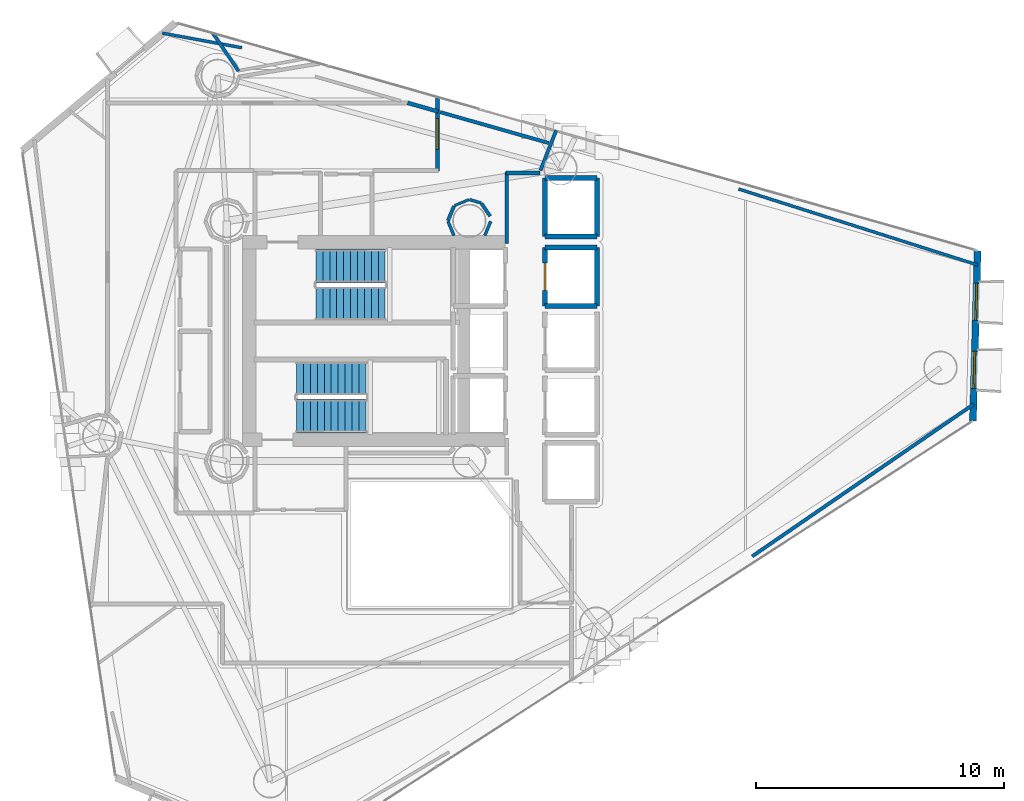
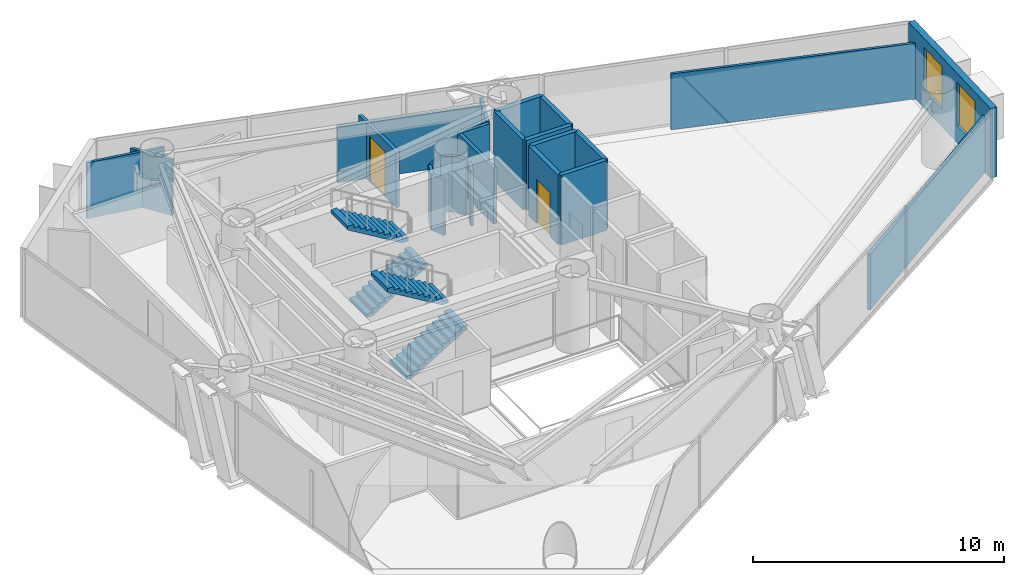
# One storey, part 20 of 22: 25 walls, 4 stair flights, 2 doors, 2 windows, 4 openings, 2 elements without a shape of their own.
"""IFC4 building model written with IfcOpenShell, lengths in metres."""

from ifc_helpers import new_model, si_unit, direction, frame, frame_2d, origin, place, context, subcontext, project, spatial, polyline, rectangle, outline, extrude, material, layer, layer_set, type_object, element, fill, aggregate, save


model = new_model("IFC4")

# Units and contexts
model_context = context("Model", 3, precision=1e-05, world=origin(), true_north=direction((0.0, 1.0)))
body_context = subcontext(model_context, "Body", "Model", "MODEL_VIEW")
ifc_project = project(units=[si_unit("LENGTHUNIT", "METRE"), si_unit("AREAUNIT", "SQUARE_METRE"), si_unit("VOLUMEUNIT", "CUBIC_METRE"), si_unit("PLANEANGLEUNIT", "RADIAN"), si_unit("MASSUNIT", "GRAM", prefix="KILO")], contexts=[model_context])

# Site, building, storey
site_placement = place(None, origin())
site = spatial("IfcSite", under=ifc_project, at=site_placement, CompositionType="ELEMENT")
building_placement = place(site_placement, origin())
building = spatial("IfcBuilding", under=site, at=building_placement, Name="Qianvela Tower", CompositionType="ELEMENT")
storey_placement = place(building_placement, frame((0.0, 0.0, 180.89990234375)))
storey = spatial("IfcBuildingStorey", under=building, at=storey_placement, Name="L46", CompositionType="ELEMENT", Elevation=180.89990234375)

# Wall, openings, windows
ifc_material_1 = material(Name="Terracotta Cladding on Concrete C40", Category="masonry")
ifc_layer_1 = layer(ifc_material_1, 0.280029296875)
ifc_layer_set_1 = layer_set([ifc_layer_1], Name="Terracotta Cladding on Concrete C40")
wall_type_1 = type_object("IfcWallType", Name="TERRACOTTA-WALL-280", PredefinedType="SOLIDWALL", material=ifc_layer_set_1)
wall_1_placement = place(storey_placement, frame((58.74951171875, 25.47119140625, 0.0), z_axis=(0.0, 0.0, 1.0), x_axis=(0.026948121349, 0.999636833433, 0.0)))
wall_1 = element("IfcWall", 1, at=wall_1_placement, inside=storey, type_object=wall_type_1, Name="L46 Terracotta Chamfer Facet Wall 1", PredefinedType="SOLIDWALL", context=body_context, shape_type="SweptSolid", body=[
    extrude(rectangle(XDim=6.876220703125, YDim=0.280029296875, at=frame_2d((3.43798828125, 0.0))), origin(), (0.0, 0.0, 1.0), 3.400146484375),
])
opening_1_placement = place(wall_1_placement, frame((1.31298828125, 0.0, 0.85009765625)))
opening_1 = element("IfcOpeningElement", 2, at=opening_1_placement, cuts=wall_1, Name="Opening W-02", PredefinedType="OPENING", context=body_context, shape_type="SweptSolid", body=[
    extrude(rectangle(XDim=1.5, YDim=2.10009765625, at=frame_2d((0.75, 1.050048828125))), frame((0.0, 0.14990234375, 0.0), z_axis=(0.0, -1.0, 0.0), x_axis=(1.0, 0.0, 0.0)), (0.0, 0.0, 1.0), 0.300048828125),
])
opening_2_placement = place(wall_1_placement, frame((4.063232421875, 0.0, 0.85009765625)))
opening_2 = element("IfcOpeningElement", 3, at=opening_2_placement, cuts=wall_1, Name="Opening W-02", PredefinedType="OPENING", context=body_context, shape_type="SweptSolid", body=[
    extrude(rectangle(XDim=1.5, YDim=2.10009765625, at=frame_2d((0.75, 1.050048828125))), frame((0.0, 0.14990234375, 0.0), z_axis=(0.0, -1.0, 0.0), x_axis=(1.0, 0.0, 0.0)), (0.0, 0.0, 1.0), 0.300048828125),
])
ifc_material_2 = material(Name="Thermally Broken Aluminium and Low-E Glass", Category="aluminium")
window_type = type_object("IfcWindowType", Name="WIN-TC-1500x2100", PartitioningType="DOUBLE_PANEL_VERTICAL", PredefinedType="WINDOW", material=ifc_material_2)
window_1_placement = place(opening_1_placement, origin())
window_1 = element("IfcWindow", 4, at=window_1_placement, inside=storey, type_object=window_type, Name="L46 Chamfer Facet Window 1.1", OverallHeight=2.10009765625, OverallWidth=1.5, PartitioningType="SINGLE_PANEL", PredefinedType="WINDOW", context=body_context, shape_type="SweptSolid", body=[
    extrude(rectangle(XDim=1.5, YDim=2.10009765625, at=frame_2d((0.75, 1.050048828125))), frame((0.0, 0.030029296875, 0.0), z_axis=(0.0, -1.0, 0.0), x_axis=(1.0, 0.0, 0.0)), (0.0, 0.0, 1.0), 0.06005859375),
])
fill(opening_1, window_1)
window_2_placement = place(opening_2_placement, origin())
window_2 = element("IfcWindow", 5, at=window_2_placement, inside=storey, type_object=window_type, Name="L46 Chamfer Facet Window 1.2", OverallHeight=2.10009765625, OverallWidth=1.5, PartitioningType="SINGLE_PANEL", PredefinedType="WINDOW", context=body_context, shape_type="SweptSolid", body=[
    extrude(rectangle(XDim=1.5, YDim=2.10009765625, at=frame_2d((0.75, 1.050048828125))), frame((0.0, 0.030029296875, 0.0), z_axis=(0.0, -1.0, 0.0), x_axis=(1.0, 0.0, 0.0)), (0.0, 0.0, 1.0), 0.06005859375),
])
fill(opening_2, window_2)

# Walls
ifc_material_3 = material(Name="Fire-Rated Gypsum and Concrete Block", Category="concrete")
ifc_layer_2 = layer(ifc_material_3, 0.159912109375)
ifc_layer_set_2 = layer_set([ifc_layer_2], Name="Fire-Rated Gypsum and Concrete Block")
wall_type_2 = type_object("IfcWallType", Name="WT-CORR-160", PredefinedType="PARTITIONING", material=ifc_layer_set_2)
wall_2_placement = place(storey_placement, frame((39.910888671875, 32.639892578125, 0.0), z_axis=(0.0, 0.0, 1.0), x_axis=(0.0, 1.0, 0.0)))
element("IfcWall", 6, at=wall_2_placement, inside=storey, type_object=wall_type_2, Name="L46 Partition 12", PredefinedType="PARTITIONING", context=body_context, shape_type="SweptSolid", body=[
    extrude(rectangle(XDim=2.880126953125, YDim=0.159912109375, at=frame_2d((1.43994140625, 0.0))), origin(), (0.0, 0.0, 1.0), 2.72021484375),
])
wall_3_placement = place(storey_placement, frame((39.8798828125, 35.489013671875, 0.0), z_axis=(0.0, 0.0, 1.0), x_axis=(1.0, 0.0, 0.0)))
element("IfcWall", 7, at=wall_3_placement, inside=storey, type_object=wall_type_2, Name="L46 Partition 13", PredefinedType="PARTITIONING", context=body_context, shape_type="SweptSolid", body=[
    extrude(rectangle(XDim=1.3828125, YDim=0.159912109375, at=frame_2d((0.69140625, 0.0))), origin(), (0.0, 0.0, 1.0), 2.72021484375),
])
wall_4_placement = place(storey_placement, frame((35.90673828125, 38.3203125, 0.0), z_axis=(0.0, 0.0, 1.0), x_axis=(0.96183190349, -0.273640986382, 0.0)))
element("IfcWall", 8, at=wall_4_placement, inside=storey, type_object=wall_type_2, Name="L46 Partition 51", PredefinedType="PARTITIONING", context=body_context, shape_type="SweptSolid", body=[
    extrude(rectangle(XDim=1.283935546875, YDim=0.159912109375, at=frame_2d((0.64208984375, 0.0))), origin(), (0.0, 0.0, 1.0), 2.72021484375),
])

# Wall, opening, door
wall_5_placement = place(storey_placement, frame((37.118896484375, 38.568359375, 0.0), z_axis=(0.0, 0.0, 1.0), x_axis=(0.0, -1.0, 0.0)))
wall_5 = element("IfcWall", 9, at=wall_5_placement, inside=storey, type_object=wall_type_2, Name="L46 Partition 52", PredefinedType="PARTITIONING", context=body_context, shape_type="SweptSolid", body=[
    extrude(rectangle(XDim=3.00830078125, YDim=0.159912109375, at=frame_2d((1.504150390625, 0.0))), origin(), (0.0, 0.0, 1.0), 2.72021484375),
])
opening_3_placement = place(wall_5_placement, frame((0.879150390625, 0.0, 0.0)))
opening_3 = element("IfcOpeningElement", 10, at=opening_3_placement, cuts=wall_5, Name="Opening D-LG1", PredefinedType="OPENING", context=body_context, shape_type="SweptSolid", body=[
    extrude(rectangle(XDim=1.25, YDim=2.199951171875, at=frame_2d((0.625, 1.10009765625))), frame((0.0, 0.08984375, 0.0), z_axis=(0.0, -1.0, 0.0), x_axis=(1.0, 0.0, 0.0)), (0.0, 0.0, 1.0), 0.179931640625),
])
ifc_material_4 = material(Name="Anodised Aluminium Acoustic Glass Door", Category="aluminium")
door_type_1 = type_object("IfcDoorType", Name="DT-LOUNGE-1250", OperationType="NOTDEFINED", PredefinedType="DOOR", material=ifc_material_4)
door_1_placement = place(opening_3_placement, origin())
door_1 = element("IfcDoor", 11, at=door_1_placement, inside=storey, type_object=door_type_1, Name="L46 Door Panoramic Study Lounge L46-03 to L46 Floor Corridor", OperationType="SINGLE_SWING_RIGHT", OverallHeight=2.199951171875, OverallWidth=1.25, PredefinedType="DOOR", context=body_context, shape_type="SweptSolid", body=[
    extrude(rectangle(XDim=1.25, YDim=2.199951171875, at=frame_2d((0.625, 1.10009765625))), frame((0.0, 0.02490234375, 0.0), z_axis=(0.0, -1.0, 0.0), x_axis=(1.0, 0.0, 0.0)), (0.0, 0.0, 1.0), 0.050048828125),
])
fill(opening_3, door_1)

# Walls
ifc_material_5 = material(Name="Lightweight Gypsum Room Partition")
ifc_layer_3 = layer(ifc_material_5, 0.10498046875)
ifc_layer_set_3 = layer_set([ifc_layer_3], Name="Lightweight Gypsum Room Partition")
wall_type_3 = type_object("IfcWallType", Name="WT-PART-105", PredefinedType="PARTITIONING", material=ifc_layer_set_3)
wall_6_placement = place(storey_placement, frame((38.38818359375, 34.41357421875, 0.0), z_axis=(0.0, 0.0, 1.0), x_axis=(-0.924012178777, -0.382363038841, 0.0)))
element("IfcWall", 12, at=wall_6_placement, inside=storey, type_object=wall_type_3, Name="L46 Partition 87", PredefinedType="PARTITIONING", context=body_context, shape_type="SweptSolid", body=[
    extrude(rectangle(XDim=0.63916015625, YDim=0.10498046875, at=frame_2d((0.319580078125, 0.0))), origin(), (0.0, 0.0, 1.0), 2.72021484375),
])
ifc_material_6 = material(Name="Insulated Gypsum Stud Partition")
ifc_layer_4 = layer(ifc_material_6, 0.1201171875)
ifc_layer_set_4 = layer_set([ifc_layer_4], Name="Insulated Gypsum Stud Partition")
wall_type_4 = type_object("IfcWallType", Name="WT-PART-120", PredefinedType="PARTITIONING", material=ifc_layer_set_4)
wall_7_placement = place(storey_placement, frame((49.27587890625, 34.842041015625, 0.0), z_axis=(0.0, 0.0, 1.0), x_axis=(0.953025342731, -0.302890567882, 0.0)))
element("IfcWall", 13, at=wall_7_placement, inside=storey, type_object=wall_type_4, Name="L46 Partition 77 seg 2", PredefinedType="PARTITIONING", context=body_context, shape_type="SweptSolid", body=[
    extrude(rectangle(XDim=10.13916015625, YDim=0.1201171875, at=frame_2d((5.069580078125, 0.0))), origin(), (0.0, 0.0, 1.0), 2.72021484375),
])
wall_8_placement = place(storey_placement, frame((38.872802734375, 34.27392578125, 0.0), z_axis=(0.0, 0.0, 1.0), x_axis=(-0.956850575764, 0.290580411693, 0.0)))
element("IfcWall", 14, at=wall_8_placement, inside=storey, type_object=wall_type_4, Name="L46 Partition 86", PredefinedType="PARTITIONING", context=body_context, shape_type="SweptSolid", body=[
    extrude(rectangle(XDim=0.48486328125, YDim=0.1201171875, at=frame_2d((0.242431640625, 0.0))), origin(), (0.0, 0.0, 1.0), 2.72021484375),
])
wall_9_placement = place(storey_placement, frame((37.536376953125, 33.5380859375, 0.0), z_axis=(0.0, 0.0, 1.0), x_axis=(0.382626535499, -0.923903097912, 0.0)))
element("IfcWall", 15, at=wall_9_placement, inside=storey, type_object=wall_type_4, Name="L46 Partition 89", PredefinedType="PARTITIONING", context=body_context, shape_type="SweptSolid", body=[
    extrude(rectangle(XDim=0.6279296875, YDim=0.1201171875, at=frame_2d((0.31396484375, 0.0))), origin(), (0.0, 0.0, 1.0), 2.72021484375),
])
wall_10_placement = place(storey_placement, frame((39.023193359375, 32.9580078125, 0.0), z_axis=(0.0, 0.0, 1.0), x_axis=(0.385702795868, 0.922623082987, 0.0)))
element("IfcWall", 16, at=wall_10_placement, inside=storey, type_object=wall_type_4, Name="L46 Partition 92", PredefinedType="PARTITIONING", context=body_context, shape_type="SweptSolid", body=[
    extrude(rectangle(XDim=0.62158203125, YDim=0.1201171875, at=frame_2d((0.310791015625, 0.0))), origin(), (0.0, 0.0, 1.0), 2.72021484375),
])
wall_11_placement = place(storey_placement, frame((25.990966796875, 41.1396484375, 0.0), z_axis=(0.0, 0.0, 1.0), x_axis=(0.983503861059, -0.180887134097, 0.0)))
element("IfcWall", 17, at=wall_11_placement, inside=storey, type_object=wall_type_4, Name="L46 Partition 104 seg 1", PredefinedType="PARTITIONING", context=body_context, shape_type="SweptSolid", body=[
    extrude(rectangle(XDim=3.27294921875, YDim=0.1201171875, at=frame_2d((1.636474609375, 0.0))), origin(), (0.0, 0.0, 1.0), 2.72021484375),
])
ifc_material_7 = material(Name="Acoustic Double Gypsum Stud Partition")
ifc_layer_5 = layer(ifc_material_7, 0.139892578125)
ifc_layer_set_5 = layer_set([ifc_layer_5], Name="Acoustic Double Gypsum Stud Partition")
wall_type_5 = type_object("IfcWallType", Name="WT-ROOM-140", PredefinedType="PARTITIONING", material=ifc_layer_set_5)
wall_12_placement = place(storey_placement, frame((41.272705078125, 35.588623046875, 0.0), z_axis=(0.0, 0.0, 1.0), x_axis=(0.364552894348, 0.931182681981, 0.0)))
element("IfcWall", 18, at=wall_12_placement, inside=storey, type_object=wall_type_5, Name="L46 Partition 76", PredefinedType="PARTITIONING", context=body_context, shape_type="SweptSolid", body=[
    extrude(rectangle(XDim=1.738525390625, YDim=0.139892578125, at=frame_2d((0.869140625, 0.0))), origin(), (0.0, 0.0, 1.0), 2.72021484375),
])
wall_13_placement = place(storey_placement, frame((58.784423828125, 26.149658203125, 0.0), z_axis=(0.0, 0.0, 1.0), x_axis=(-0.824381998841, -0.566033850566, 0.0)))
element("IfcWall", 19, at=wall_13_placement, inside=storey, type_object=wall_type_5, Name="L46 Partition 79 seg 1", PredefinedType="PARTITIONING", context=body_context, shape_type="SweptSolid", body=[
    extrude(rectangle(XDim=10.86669921875, YDim=0.139892578125, at=frame_2d((5.433349609375, 0.0))), origin(), (0.0, 0.0, 1.0), 2.72021484375),
])
wall_14_placement = place(storey_placement, frame((39.241455078125, 33.74072265625, 0.0), z_axis=(0.0, 0.0, 1.0), x_axis=(-0.559619584068, 0.828749613048, 0.0)))
element("IfcWall", 20, at=wall_14_placement, inside=storey, type_object=wall_type_5, Name="L46 Partition 85", PredefinedType="PARTITIONING", context=body_context, shape_type="SweptSolid", body=[
    extrude(rectangle(XDim=0.628662109375, YDim=0.139892578125, at=frame_2d((0.314453125, 0.0))), origin(), (0.0, 0.0, 1.0), 2.72021484375),
])
wall_15_placement = place(storey_placement, frame((37.781005859375, 34.15234375, 0.0), z_axis=(0.0, 0.0, 1.0), x_axis=(-0.382824178437, -0.923821221018, 0.0)))
element("IfcWall", 21, at=wall_15_placement, inside=storey, type_object=wall_type_5, Name="L46 Partition 88", PredefinedType="PARTITIONING", context=body_context, shape_type="SweptSolid", body=[
    extrude(rectangle(XDim=0.638916015625, YDim=0.139892578125, at=frame_2d((0.3193359375, 0.0))), origin(), (0.0, 0.0, 1.0), 2.72021484375),
])
wall_16_placement = place(storey_placement, frame((37.221435546875, 37.9462890625, 0.0), z_axis=(0.0, 0.0, 1.0), x_axis=(0.961870441874, -0.27350548998, 0.0)))
element("IfcWall", 22, at=wall_16_placement, inside=storey, type_object=wall_type_5, Name="L46 Partition 97 seg 1", PredefinedType="PARTITIONING", context=body_context, shape_type="SweptSolid", body=[
    extrude(rectangle(XDim=4.563232421875, YDim=0.139892578125, at=frame_2d((2.28173828125, 0.0))), origin(), (0.0, 0.0, 1.0), 2.72021484375),
])
wall_17_placement = place(storey_placement, frame((29.076416015625, 39.601806640625, 0.0), z_axis=(0.0, 0.0, 1.0), x_axis=(-0.559772269406, 0.828646490612, 0.0)))
element("IfcWall", 23, at=wall_17_placement, inside=storey, type_object=wall_type_5, Name="L46 Partition 106", PredefinedType="PARTITIONING", context=body_context, shape_type="SweptSolid", body=[
    extrude(rectangle(XDim=1.8623046875, YDim=0.139892578125, at=frame_2d((0.93115234375, 0.0))), origin(), (0.0, 0.0, 1.0), 2.72021484375),
])
ifc_material_8 = material(Name="Concrete C50", Category="concrete")
ifc_layer_6 = layer(ifc_material_8, 0.199951171875)
ifc_layer_set_6 = layer_set([ifc_layer_6], Name="Concrete C50")
wall_type_6 = type_object("IfcWallType", Name="WT-SHAFT-200", PredefinedType="SOLIDWALL", material=ifc_layer_set_6)
wall_18_placement = place(storey_placement, frame((43.550048828125, 30.1201171875, 0.0), z_axis=(0.0, 0.0, 1.0), x_axis=(0.0, 1.0, 0.0)))
element("IfcWall", 24, at=wall_18_placement, inside=storey, type_object=wall_type_6, Name="L46 Lift PL-M1 E Shaft Wall", PredefinedType="SOLIDWALL", context=body_context, shape_type="SweptSolid", body=[
    extrude(rectangle(XDim=2.35986328125, YDim=0.199951171875, at=frame_2d((1.179931640625, 0.0))), origin(), (0.0, 0.0, 1.0), 3.400146484375),
])

# Wall, opening, door
wall_19_placement = place(storey_placement, frame((41.449951171875, 30.1201171875, 0.0), z_axis=(0.0, 0.0, 1.0), x_axis=(0.0, 1.0, 0.0)))
wall_19 = element("IfcWall", 25, at=wall_19_placement, inside=storey, type_object=wall_type_6, Name="L46 Lift PL-M1 W Shaft Wall", PredefinedType="SOLIDWALL", context=body_context, shape_type="SweptSolid", body=[
    extrude(rectangle(XDim=2.35986328125, YDim=0.199951171875, at=frame_2d((1.179931640625, 0.0))), origin(), (0.0, 0.0, 1.0), 3.400146484375),
])
opening_4_placement = place(wall_19_placement, frame((0.6298828125, 0.0, 0.0)))
opening_4 = element("IfcOpeningElement", 26, at=opening_4_placement, cuts=wall_19, Name="Opening LD-01", PredefinedType="OPENING", context=body_context, shape_type="SweptSolid", body=[
    extrude(rectangle(XDim=1.10009765625, YDim=2.14990234375, at=frame_2d((0.550048828125, 1.074951171875))), frame((0.0, 0.10986328125, 0.0), z_axis=(0.0, -1.0, 0.0), x_axis=(1.0, 0.0, 0.0)), (0.0, 0.0, 1.0), 0.219970703125),
])
ifc_material_9 = material(Name="Brushed Stainless Steel Lift Landing Door", Category="steel")
door_type_2 = type_object("IfcDoorType", Name="DT-LIFT-SLIDE-1100", OperationType="SLIDING_TO_LEFT", PredefinedType="DOOR", material=ifc_material_9)
door_2_placement = place(opening_4_placement, origin())
door_2 = element("IfcDoor", 27, at=door_2_placement, inside=storey, type_object=door_type_2, Name="L46 Lift PL-M1 Sliding Landing Door", OperationType="SLIDING_TO_LEFT", OverallHeight=2.14990234375, OverallWidth=1.10009765625, PredefinedType="DOOR", context=body_context, shape_type="SweptSolid", body=[
    extrude(rectangle(XDim=1.10009765625, YDim=2.14990234375, at=frame_2d((0.550048828125, 1.074951171875))), frame((0.0, 0.02490234375, 0.0), z_axis=(0.0, -1.0, 0.0), x_axis=(1.0, 0.0, 0.0)), (0.0, 0.0, 1.0), 0.050048828125),
])
fill(opening_4, door_2)

# Walls
for number, where, z_axis, x_axis, name in (
    (28, (41.449951171875, 32.47998046875, 0.0), (0.0, 0.0, 1.0), (1.0, 0.0, 0.0), "L46 Lift PL-M1 N Shaft Wall"),
    (29, (41.449951171875, 30.1201171875, 0.0), (0.0, 0.0, 1.0), (1.0, 0.0, 0.0), "L46 Lift PL-M1 S Shaft Wall"),
):
    element("IfcWall", number, at=place(storey_placement, frame(where, z_axis=z_axis, x_axis=x_axis)), inside=storey, type_object=wall_type_6, Name=name, PredefinedType="SOLIDWALL", context=body_context, shape_type="SweptSolid", body=[
        extrude(rectangle(XDim=2.10009765625, YDim=0.199951171875, at=frame_2d((1.050048828125, 0.0))), origin(), (0.0, 0.0, 1.0), 3.400146484375),
    ])
for number, where, z_axis, x_axis, name in (
    (30, (43.550048828125, 32.919921875, 0.0), (0.0, 0.0, 1.0), (0.0, 1.0, 0.0), "L46 Lift PL-H3 E Shaft Wall"),
    (31, (41.449951171875, 32.919921875, 0.0), (0.0, 0.0, 1.0), (0.0, 1.0, 0.0), "L46 Lift PL-H3 W Shaft Wall"),
):
    element("IfcWall", number, at=place(storey_placement, frame(where, z_axis=z_axis, x_axis=x_axis)), inside=storey, type_object=wall_type_6, Name=name, PredefinedType="SOLIDWALL", context=body_context, shape_type="SweptSolid", body=[
        extrude(rectangle(XDim=2.360107421875, YDim=0.199951171875, at=frame_2d((1.18017578125, 0.0))), origin(), (0.0, 0.0, 1.0), 3.400146484375),
    ])
for number, where, z_axis, x_axis, name in (
    (32, (41.449951171875, 35.280029296875, 0.0), (0.0, 0.0, 1.0), (1.0, 0.0, 0.0), "L46 Lift PL-H3 N Shaft Wall"),
    (33, (41.449951171875, 32.919921875, 0.0), (0.0, 0.0, 1.0), (1.0, 0.0, 0.0), "L46 Lift PL-H3 S Shaft Wall"),
):
    element("IfcWall", number, at=place(storey_placement, frame(where, z_axis=z_axis, x_axis=x_axis)), inside=storey, type_object=wall_type_6, Name=name, PredefinedType="SOLIDWALL", context=body_context, shape_type="SweptSolid", body=[
        extrude(rectangle(XDim=2.10009765625, YDim=0.199951171875, at=frame_2d((1.050048828125, 0.0))), origin(), (0.0, 0.0, 1.0), 3.400146484375),
    ])

# Stair, stair flights
ifc_material_10 = material(Name="Concrete C40", Category="concrete")
stair_type = type_object("IfcStairType", Name="ST-DOGLEG-1350-R168-N22", PredefinedType="HALF_TURN_STAIR", material=ifc_material_10)
stair_1_placement = place(storey_placement, origin())
stair_1 = element("IfcStair", 34, at=stair_1_placement, inside=storey, type_object=stair_type, Name="L46 Smoke-Proof Core Stair ST-1", PredefinedType="HALF_TURN_STAIR")
ifc_material_11 = material(Name="Concrete C40", Category="concrete")
stair_flight_type = type_object("IfcStairFlightType", Name="STF-STRAIGHT-R168-P11", PredefinedType="STRAIGHT", material=ifc_material_11)
stair_flight_1_placement = place(storey_placement, frame((32.199951171875, 30.215087890625, 0.0), z_axis=(0.0, 0.0, 1.0), x_axis=(1.0, 0.0, 0.0)))
stair_flight_1 = element("IfcStairFlight", 35, at=stair_flight_1_placement, type_object=stair_flight_type, Name="ST-1 flight 1", NumberOfRisers=11, NumberOfTreads=10, PredefinedType="STRAIGHT", RiserHeight=0.168181818, TreadLength=0.28, context=body_context, shape_type="SweptSolid", body=[
    extrude(outline(polyline([(0.0, 0.0), (0.0, 0.168212890625), (0.280029296875, 0.168212890625), (0.280029296875, 0.33642578125), (0.56005859375, 0.33642578125), (0.56005859375, 0.504638671875), (0.840087890625, 0.504638671875), (0.840087890625, 0.672607421875), (1.1201171875, 0.672607421875), (1.1201171875, 0.8408203125), (1.39990234375, 0.8408203125), (1.39990234375, 1.009033203125), (1.679931640625, 1.009033203125), (1.679931640625, 1.17724609375), (1.9599609375, 1.17724609375), (1.9599609375, 1.345458984375), (2.239990234375, 1.345458984375), (2.239990234375, 1.513671875), (2.52001953125, 1.513671875), (2.52001953125, 1.681884765625), (2.800048828125, 1.681884765625), (2.800048828125, 1.85009765625), (2.800048828125, 1.5068359375), (0.291015625, 0.0), (0.0, 0.0)])), frame((0.0, 0.675048828125, 0.0), z_axis=(0.0, -1.0, 0.0), x_axis=(1.0, 0.0, 0.0)), (0.0, 0.0, 1.0), 1.35009765625),
])
stair_flight_2_placement = place(storey_placement, frame((35.0, 31.72509765625, 1.85009765625), z_axis=(0.0, 0.0, 1.0), x_axis=(-1.0, 0.0, 0.0)))
stair_flight_2 = element("IfcStairFlight", 36, at=stair_flight_2_placement, type_object=stair_flight_type, Name="ST-1 flight 2", NumberOfRisers=11, NumberOfTreads=10, PredefinedType="STRAIGHT", RiserHeight=0.168181818, TreadLength=0.28, context=body_context, shape_type="SweptSolid", body=[
    extrude(outline(polyline([(0.0, 0.0), (0.0, 0.168212890625), (0.280029296875, 0.168212890625), (0.280029296875, 0.33642578125), (0.56005859375, 0.33642578125), (0.56005859375, 0.504638671875), (0.840087890625, 0.504638671875), (0.840087890625, 0.672607421875), (1.1201171875, 0.672607421875), (1.1201171875, 0.8408203125), (1.39990234375, 0.8408203125), (1.39990234375, 1.009033203125), (1.679931640625, 1.009033203125), (1.679931640625, 1.17724609375), (1.9599609375, 1.17724609375), (1.9599609375, 1.345458984375), (2.239990234375, 1.345458984375), (2.239990234375, 1.513671875), (2.52001953125, 1.513671875), (2.52001953125, 1.681884765625), (2.800048828125, 1.681884765625), (2.800048828125, 1.85009765625), (2.800048828125, 1.5068359375), (0.291015625, 0.0), (0.0, 0.0)])), frame((0.0, 0.675048828125, 0.0), z_axis=(0.0, -1.0, 0.0), x_axis=(1.0, 0.0, 0.0)), (0.0, 0.0, 1.0), 1.35009765625),
])
aggregate(stair_1, [stair_flight_1, stair_flight_2])

stair_2_placement = place(storey_placement, origin())
stair_2 = element("IfcStair", 37, at=stair_2_placement, inside=storey, type_object=stair_type, Name="L46 Smoke-Proof Core Stair ST-2", PredefinedType="HALF_TURN_STAIR")
stair_flight_3_placement = place(storey_placement, frame((31.419921875, 25.675048828125, 0.0), z_axis=(0.0, 0.0, 1.0), x_axis=(1.0, 0.0, 0.0)))
stair_flight_3 = element("IfcStairFlight", 38, at=stair_flight_3_placement, type_object=stair_flight_type, Name="ST-2 flight 1", NumberOfRisers=11, NumberOfTreads=10, PredefinedType="STRAIGHT", RiserHeight=0.168181818, TreadLength=0.28, context=body_context, shape_type="SweptSolid", body=[
    extrude(outline(polyline([(0.0, 0.0), (0.0, 0.168212890625), (0.280029296875, 0.168212890625), (0.280029296875, 0.33642578125), (0.56005859375, 0.33642578125), (0.56005859375, 0.504638671875), (0.840087890625, 0.504638671875), (0.840087890625, 0.672607421875), (1.1201171875, 0.672607421875), (1.1201171875, 0.8408203125), (1.39990234375, 0.8408203125), (1.39990234375, 1.009033203125), (1.679931640625, 1.009033203125), (1.679931640625, 1.17724609375), (1.9599609375, 1.17724609375), (1.9599609375, 1.345458984375), (2.239990234375, 1.345458984375), (2.239990234375, 1.513671875), (2.52001953125, 1.513671875), (2.52001953125, 1.681884765625), (2.800048828125, 1.681884765625), (2.800048828125, 1.85009765625), (2.800048828125, 1.5068359375), (0.291015625, 0.0), (0.0, 0.0)])), frame((0.0, 0.675048828125, 0.0), z_axis=(0.0, -1.0, 0.0), x_axis=(1.0, 0.0, 0.0)), (0.0, 0.0, 1.0), 1.35009765625),
])
stair_flight_4_placement = place(storey_placement, frame((34.219970703125, 27.18505859375, 1.85009765625), z_axis=(0.0, 0.0, 1.0), x_axis=(-1.0, 0.0, 0.0)))
stair_flight_4 = element("IfcStairFlight", 39, at=stair_flight_4_placement, type_object=stair_flight_type, Name="ST-2 flight 2", NumberOfRisers=11, NumberOfTreads=10, PredefinedType="STRAIGHT", RiserHeight=0.168181818, TreadLength=0.28, context=body_context, shape_type="SweptSolid", body=[
    extrude(outline(polyline([(0.0, 0.0), (0.0, 0.168212890625), (0.280029296875, 0.168212890625), (0.280029296875, 0.33642578125), (0.56005859375, 0.33642578125), (0.56005859375, 0.504638671875), (0.840087890625, 0.504638671875), (0.840087890625, 0.672607421875), (1.1201171875, 0.672607421875), (1.1201171875, 0.8408203125), (1.39990234375, 0.8408203125), (1.39990234375, 1.009033203125), (1.679931640625, 1.009033203125), (1.679931640625, 1.17724609375), (1.9599609375, 1.17724609375), (1.9599609375, 1.345458984375), (2.239990234375, 1.345458984375), (2.239990234375, 1.513671875), (2.52001953125, 1.513671875), (2.52001953125, 1.681884765625), (2.800048828125, 1.681884765625), (2.800048828125, 1.85009765625), (2.800048828125, 1.5068359375), (0.291015625, 0.0), (0.0, 0.0)])), frame((0.0, 0.675048828125, 0.0), z_axis=(0.0, -1.0, 0.0), x_axis=(1.0, 0.0, 0.0)), (0.0, 0.0, 1.0), 1.35009765625),
])
aggregate(stair_2, [stair_flight_3, stair_flight_4])

save(model, "model.ifc")
